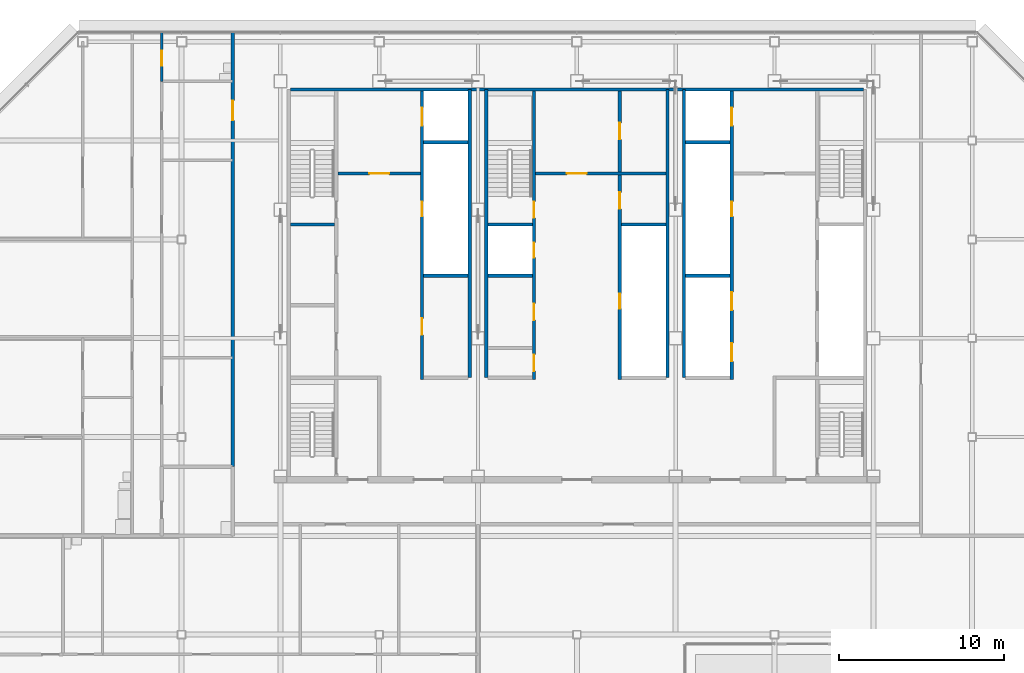
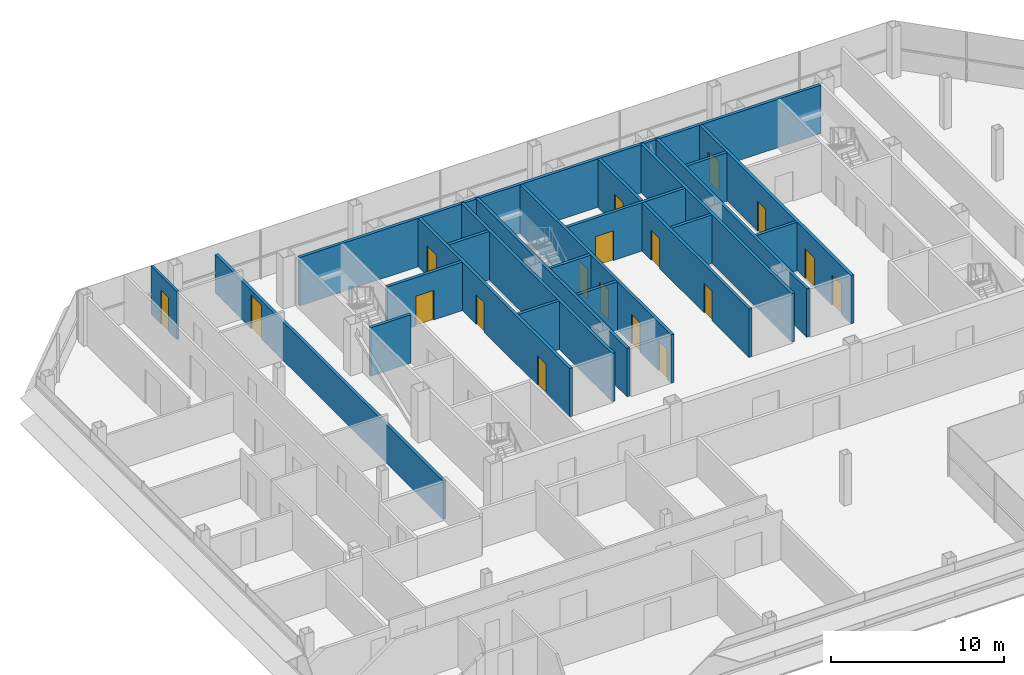
# One storey, part 24 of 30: 21 walls, 18 doors, 18 openings.
"""IFC4 building model written with IfcOpenShell, lengths in metres."""

from ifc_helpers import new_model, si_unit, direction, frame, frame_2d, origin, place, context, subcontext, project, spatial, rectangle, extrude, material, layer, layer_set, type_object, element, fill, save


model = new_model("IFC4")

# Units and contexts
model_context = context("Model", 3, precision=1e-05, world=origin(), true_north=direction((0.0, 1.0)))
body_context = subcontext(model_context, "Body", "Model", "MODEL_VIEW")
ifc_project = project(units=[si_unit("LENGTHUNIT", "METRE"), si_unit("AREAUNIT", "SQUARE_METRE"), si_unit("VOLUMEUNIT", "CUBIC_METRE"), si_unit("PLANEANGLEUNIT", "RADIAN"), si_unit("MASSUNIT", "GRAM", prefix="KILO")], contexts=[model_context])

# Site, building, storey
site_placement = place(None, origin())
site = spatial("IfcSite", under=ifc_project, at=site_placement, CompositionType="ELEMENT")
building_placement = place(site_placement, origin())
building = spatial("IfcBuilding", under=site, at=building_placement, Name="Sorahane Residences", CompositionType="ELEMENT")
storey_placement = place(building_placement, frame((0.0, 0.0, 263.0)))
storey = spatial("IfcBuildingStorey", under=building, at=storey_placement, Name="L62", CompositionType="ELEMENT", Elevation=263.0)

# Walls
ifc_material_1 = material(Name="Concrete C30", Category="concrete")
ifc_layer_1 = layer(ifc_material_1, 0.199951171875)
ifc_layer_set_1 = layer_set([ifc_layer_1], Name="Core face wall 200 EI 180")
wall_type_1 = type_object("IfcWallType", Name="Core face wall 200 EI 180", PredefinedType="SOLIDWALL", material=ifc_layer_set_1)
wall_1_placement = place(storey_placement, frame((6.60009765625, 45.10009765625, 0.0), z_axis=(0.0, 0.0, 1.0), x_axis=(1.0, 0.0, 0.0)))
element("IfcWall", 1, at=wall_1_placement, inside=storey, type_object=wall_type_1, Name="L62 core face wall", PredefinedType="SOLIDWALL", context=body_context, shape_type="SweptSolid", body=[
    extrude(rectangle(XDim=34.7998046875, YDim=0.199951171875, at=frame_2d((17.39990234375, 0.0))), origin(), (0.0, 0.0, 1.0), 3.419921875),
])
for number, where, z_axis, x_axis, name in (
    (2, (17.5, 27.60009765625, 0.0), (0.0, 0.0, 1.0), (0.0, 1.0, 0.0), "L62 core face wall"),
    (3, (18.5, 27.60009765625, 0.0), (0.0, 0.0, 1.0), (0.0, 1.0, 0.0), "L62 core face wall"),
    (4, (29.5, 27.60009765625, 0.0), (0.0, 0.0, 1.0), (0.0, 1.0, 0.0), "L62 core face wall"),
    (5, (30.5, 27.60009765625, 0.0), (0.0, 0.0, 1.0), (0.0, 1.0, 0.0), "L62 core face wall"),
):
    element("IfcWall", number, at=place(storey_placement, frame(where, z_axis=z_axis, x_axis=x_axis)), inside=storey, type_object=wall_type_1, Name=name, PredefinedType="SOLIDWALL", context=body_context, shape_type="SweptSolid", body=[
        extrude(rectangle(XDim=17.5, YDim=0.199951171875, at=frame_2d((8.75, 0.0))), origin(), (0.0, 0.0, 1.0), 3.419921875),
    ])

# Wall, opening, door
ifc_material_2 = material(Name="Concrete blockwork C20 wall", Category="masonry")
ifc_layer_2 = layer(ifc_material_2, 0.199951171875)
ifc_layer_set_2 = layer_set([ifc_layer_2], Name="Corridor wall 200 EI 120")
wall_type_2 = type_object("IfcWallType", Name="Corridor wall 200 EI 120", PredefinedType="SOLIDWALL", material=ifc_layer_set_2)
wall_2_placement = place(storey_placement, frame((3.10009765625, 22.199951171875, 0.0), z_axis=(0.0, 0.0, 1.0), x_axis=(0.0, 1.0, 0.0)))
wall_2 = element("IfcWall", 6, at=wall_2_placement, inside=storey, type_object=wall_type_2, Name="L62 corridor wall", PredefinedType="SOLIDWALL", context=body_context, shape_type="SweptSolid", body=[
    extrude(rectangle(XDim=26.400146484375, YDim=0.199951171875, at=frame_2d((13.2001953125, 0.0))), origin(), (0.0, 0.0, 1.0), 2.719970703125),
])
opening_1_placement = place(wall_2_placement, frame((21.02001953125, 0.0, 0.0)))
opening_1 = element("IfcOpeningElement", 7, at=opening_1_placement, cuts=wall_2, Name="Opening L62-26", PredefinedType="OPENING", context=body_context, shape_type="SweptSolid", body=[
    extrude(rectangle(XDim=1.199951171875, YDim=2.39990234375, at=frame_2d((0.60009765625, 1.199951171875))), frame((0.0, 0.10986328125, 0.0), z_axis=(0.0, -1.0, 0.0), x_axis=(1.0, 0.0, 0.0)), (0.0, 0.0, 1.0), 0.219970703125),
])
ifc_material_3 = material(Name="Timber veneered fire door", Category="wood")
door_type_1 = type_object("IfcDoorType", Name="Flat entrance door 1200x2400 FD60", OperationType="NOTDEFINED", PredefinedType="DOOR", material=ifc_material_3)
door_1_placement = place(opening_1_placement, origin())
door_1 = element("IfcDoor", 8, at=door_1_placement, inside=storey, type_object=door_type_1, Name="Flat entrance door L62-26", OperationType="SINGLE_SWING_RIGHT", OverallHeight=2.39990234375, OverallWidth=1.199951171875, PredefinedType="DOOR", context=body_context, shape_type="SweptSolid", body=[
    extrude(rectangle(XDim=1.199951171875, YDim=2.39990234375, at=frame_2d((0.60009765625, 1.199951171875))), frame((0.0, 0.02490234375, 0.0), z_axis=(0.0, -1.0, 0.0), x_axis=(1.0, 0.0, 0.0)), (0.0, 0.0, 1.0), 0.050048828125),
])
fill(opening_1, door_1)

ifc_material_4 = material(Name="Concrete C30", Category="concrete")
ifc_layer_3 = layer(ifc_material_4, 0.199951171875)
ifc_layer_set_3 = layer_set([ifc_layer_3], Name="Front room wall 200 EI 120")
wall_type_3 = type_object("IfcWallType", Name="Front room wall 200 EI 120", PredefinedType="PARTITIONING", material=ifc_layer_set_3)
wall_3_placement = place(storey_placement, frame((21.5, 40.0, 0.0), z_axis=(0.0, 0.0, 1.0), x_axis=(1.0, 0.0, 0.0)))
wall_3 = element("IfcWall", 9, at=wall_3_placement, inside=storey, type_object=wall_type_3, Name="L62 front room wall", PredefinedType="PARTITIONING", context=body_context, shape_type="SweptSolid", body=[
    extrude(rectangle(XDim=7.89990234375, YDim=0.199951171875, at=frame_2d((3.949951171875, 0.0))), origin(), (0.0, 0.0, 1.0), 3.419921875),
])
opening_2_placement = place(wall_3_placement, frame((1.89990234375, 0.0, 0.0)))
opening_2 = element("IfcOpeningElement", 10, at=opening_2_placement, cuts=wall_3, Name="Opening L62-C07", PredefinedType="OPENING", context=body_context, shape_type="SweptSolid", body=[
    extrude(rectangle(XDim=1.199951171875, YDim=2.10009765625, at=frame_2d((0.60009765625, 1.050048828125))), frame((0.0, 0.10986328125, 0.0), z_axis=(0.0, -1.0, 0.0), x_axis=(1.0, 0.0, 0.0)), (0.0, 0.0, 1.0), 0.219970703125),
])
ifc_material_5 = material(Name="Steel", Category="steel")
door_type_2 = type_object("IfcDoorType", Name="Front room door 1200x2100 FD120", OperationType="NOTDEFINED", PredefinedType="DOOR", material=ifc_material_5)
door_2_placement = place(opening_2_placement, frame((1.199951171875, 0.0, 0.0), z_axis=(0.0, 0.0, 1.0), x_axis=(-1.0, 0.0, 0.0)))
door_2 = element("IfcDoor", 11, at=door_2_placement, inside=storey, type_object=door_type_2, Name="Front room door Stair S3 vestibule L62", OperationType="DOUBLE_DOOR_SINGLE_SWING", OverallHeight=2.10009765625, OverallWidth=1.199951171875, PredefinedType="DOOR", context=body_context, shape_type="SweptSolid", body=[
    extrude(rectangle(XDim=1.199951171875, YDim=2.10009765625, at=frame_2d((0.60009765625, 1.050048828125))), frame((0.0, 0.02490234375, 0.0), z_axis=(0.0, -1.0, 0.0), x_axis=(1.0, 0.0, 0.0)), (0.0, 0.0, 1.0), 0.050048828125),
])
fill(opening_2, door_2)

wall_4_placement = place(storey_placement, frame((9.5, 40.0, 0.0), z_axis=(0.0, 0.0, 1.0), x_axis=(1.0, 0.0, 0.0)))
wall_4 = element("IfcWall", 12, at=wall_4_placement, inside=storey, type_object=wall_type_3, Name="L62 front room wall", PredefinedType="PARTITIONING", context=body_context, shape_type="SweptSolid", body=[
    extrude(rectangle(XDim=5.0, YDim=0.199951171875, at=frame_2d((2.5, 0.0))), origin(), (0.0, 0.0, 1.0), 3.419921875),
])
opening_3_placement = place(wall_4_placement, frame((1.89990234375, 0.0, 0.0)))
opening_3 = element("IfcOpeningElement", 13, at=opening_3_placement, cuts=wall_4, Name="Opening L62-C06", PredefinedType="OPENING", context=body_context, shape_type="SweptSolid", body=[
    extrude(rectangle(XDim=1.199951171875, YDim=2.10009765625, at=frame_2d((0.60009765625, 1.050048828125))), frame((0.0, 0.10986328125, 0.0), z_axis=(0.0, -1.0, 0.0), x_axis=(1.0, 0.0, 0.0)), (0.0, 0.0, 1.0), 0.219970703125),
])
door_3_placement = place(opening_3_placement, frame((1.199951171875, 0.0, 0.0), z_axis=(0.0, 0.0, 1.0), x_axis=(-1.0, 0.0, 0.0)))
door_3 = element("IfcDoor", 14, at=door_3_placement, inside=storey, type_object=door_type_2, Name="Front room door Firefighting lobby FF1 front room L62", OperationType="DOUBLE_DOOR_SINGLE_SWING", OverallHeight=2.10009765625, OverallWidth=1.199951171875, PredefinedType="DOOR", context=body_context, shape_type="SweptSolid", body=[
    extrude(rectangle(XDim=1.199951171875, YDim=2.10009765625, at=frame_2d((0.60009765625, 1.050048828125))), frame((0.0, 0.02490234375, 0.0), z_axis=(0.0, -1.0, 0.0), x_axis=(1.0, 0.0, 0.0)), (0.0, 0.0, 1.0), 0.050048828125),
])
fill(opening_3, door_3)

# Wall, openings, doors
ifc_material_6 = material(Name="Concrete C30", Category="concrete")
ifc_layer_4 = layer(ifc_material_6, 0.199951171875)
ifc_layer_set_4 = layer_set([ifc_layer_4], Name="Lift shaft wall 200 EI 120")
wall_type_4 = type_object("IfcWallType", Name="Lift shaft wall 200 EI 120", PredefinedType="SOLIDWALL", material=ifc_layer_set_4)
wall_5_placement = place(storey_placement, frame((14.60009765625, 27.5, 0.0), z_axis=(0.0, 0.0, 1.0), x_axis=(0.0, 1.0, 0.0)))
wall_5 = element("IfcWall", 15, at=wall_5_placement, inside=storey, type_object=wall_type_4, Name="L62 lift shaft wall", PredefinedType="SOLIDWALL", context=body_context, shape_type="SweptSolid", body=[
    extrude(rectangle(XDim=17.5, YDim=0.199951171875, at=frame_2d((8.75, 0.0))), origin(), (0.0, 0.0, 1.0), 3.419921875),
])
opening_4_placement = place(wall_5_placement, frame((15.39990234375, 0.0, 0.0)))
opening_4 = element("IfcOpeningElement", 16, at=opening_4_placement, cuts=wall_5, Name="Opening L62-C15", PredefinedType="OPENING", context=body_context, shape_type="SweptSolid", body=[
    extrude(rectangle(XDim=1.10009765625, YDim=2.10009765625, at=frame_2d((0.550048828125, 1.050048828125))), frame((0.0, 0.10986328125, 0.0), z_axis=(0.0, -1.0, 0.0), x_axis=(1.0, 0.0, 0.0)), (0.0, 0.0, 1.0), 0.219970703125),
])
opening_5_placement = place(wall_5_placement, frame((2.699951171875, 0.0, 0.0)))
opening_5 = element("IfcOpeningElement", 17, at=opening_5_placement, cuts=wall_5, Name="Opening L62-C18", PredefinedType="OPENING", context=body_context, shape_type="SweptSolid", body=[
    extrude(rectangle(XDim=1.0, YDim=2.10009765625, at=frame_2d((0.5, 1.050048828125))), frame((0.0, 0.10986328125, 0.0), z_axis=(0.0, -1.0, 0.0), x_axis=(1.0, 0.0, 0.0)), (0.0, 0.0, 1.0), 0.219970703125),
])
opening_6_placement = place(wall_5_placement, frame((9.89990234375, 0.0, 0.0)))
opening_6 = element("IfcOpeningElement", 18, at=opening_6_placement, cuts=wall_5, Name="Opening L62-C26", PredefinedType="OPENING", context=body_context, shape_type="SweptSolid", body=[
    extrude(rectangle(XDim=0.89990234375, YDim=2.10009765625, at=frame_2d((0.449951171875, 1.050048828125))), frame((0.0, 0.10986328125, 0.0), z_axis=(0.0, -1.0, 0.0), x_axis=(1.0, 0.0, 0.0)), (0.0, 0.0, 1.0), 0.219970703125),
])
ifc_material_7 = material(Name="Aluminium and stainless steel", Category="steel")
door_type_3 = type_object("IfcDoorType", Name="Lift landing door 1100x2100 E 60", OperationType="NOTDEFINED", PredefinedType="DOOR", material=ifc_material_7)
door_4_placement = place(opening_4_placement, origin())
door_4 = element("IfcDoor", 19, at=door_4_placement, inside=storey, type_object=door_type_3, Name="Lift landing door FF1 L62", OperationType="DOUBLE_DOOR_SLIDING", OverallHeight=2.10009765625, OverallWidth=1.10009765625, PredefinedType="DOOR", context=body_context, shape_type="SweptSolid", body=[
    extrude(rectangle(XDim=1.10009765625, YDim=2.10009765625, at=frame_2d((0.550048828125, 1.050048828125))), frame((0.0, 0.02490234375, 0.0), z_axis=(0.0, -1.0, 0.0), x_axis=(1.0, 0.0, 0.0)), (0.0, 0.0, 1.0), 0.050048828125),
])
fill(opening_4, door_4)
ifc_material_8 = material(Name="Steel", Category="steel")
door_type_4 = type_object("IfcDoorType", Name="Riser door 900x2100 FD120", OperationType="NOTDEFINED", PredefinedType="DOOR", material=ifc_material_8)
door_5_placement = place(opening_6_placement, origin())
door_5 = element("IfcDoor", 20, at=door_5_placement, inside=storey, type_object=door_type_4, Name="Riser door R1 L62", OperationType="SINGLE_SWING_LEFT", OverallHeight=2.10009765625, OverallWidth=0.89990234375, PredefinedType="DOOR", context=body_context, shape_type="SweptSolid", body=[
    extrude(rectangle(XDim=0.89990234375, YDim=2.10009765625, at=frame_2d((0.449951171875, 1.050048828125))), frame((0.0, 0.02490234375, 0.0), z_axis=(0.0, -1.0, 0.0), x_axis=(1.0, 0.0, 0.0)), (0.0, 0.0, 1.0), 0.050048828125),
])
fill(opening_6, door_5)
ifc_material_9 = material(Name="Steel", Category="steel")
door_type_5 = type_object("IfcDoorType", Name="Service room door 1000x2100 FD60", OperationType="NOTDEFINED", PredefinedType="DOOR", material=ifc_material_9)
door_6_placement = place(opening_5_placement, frame((1.0, 0.0, 0.0), z_axis=(0.0, 0.0, 1.0), x_axis=(-1.0, 0.0, 0.0)))
door_6 = element("IfcDoor", 21, at=door_6_placement, inside=storey, type_object=door_type_5, Name="Service room door Flower room L62", OperationType="SINGLE_SWING_RIGHT", OverallHeight=2.10009765625, OverallWidth=1.0, PredefinedType="DOOR", context=body_context, shape_type="SweptSolid", body=[
    extrude(rectangle(XDim=1.0, YDim=2.10009765625, at=frame_2d((0.5, 1.050048828125))), frame((0.0, 0.02490234375, 0.0), z_axis=(0.0, -1.0, 0.0), x_axis=(1.0, 0.0, 0.0)), (0.0, 0.0, 1.0), 0.050048828125),
])
fill(opening_5, door_6)

wall_6_placement = place(storey_placement, frame((33.39990234375, 27.5, 0.0), z_axis=(0.0, 0.0, 1.0), x_axis=(0.0, 1.0, 0.0)))
wall_6 = element("IfcWall", 22, at=wall_6_placement, inside=storey, type_object=wall_type_4, Name="L62 lift shaft wall", PredefinedType="SOLIDWALL", context=body_context, shape_type="SweptSolid", body=[
    extrude(rectangle(XDim=17.5, YDim=0.199951171875, at=frame_2d((8.75, 0.0))), origin(), (0.0, 0.0, 1.0), 3.419921875),
])
opening_7_placement = place(wall_6_placement, frame((1.10009765625, 0.0, 0.0)))
opening_7 = element("IfcOpeningElement", 23, at=opening_7_placement, cuts=wall_6, Name="Opening L62-C12", PredefinedType="OPENING", context=body_context, shape_type="SweptSolid", body=[
    extrude(rectangle(XDim=1.10009765625, YDim=2.10009765625, at=frame_2d((0.550048828125, 1.050048828125))), frame((0.0, 0.10986328125, 0.0), z_axis=(0.0, -1.0, 0.0), x_axis=(1.0, 0.0, 0.0)), (0.0, 0.0, 1.0), 0.219970703125),
])
opening_8_placement = place(wall_6_placement, frame((4.199951171875, 0.0, 0.0)))
opening_8 = element("IfcOpeningElement", 24, at=opening_8_placement, cuts=wall_6, Name="Opening L62-C13", PredefinedType="OPENING", context=body_context, shape_type="SweptSolid", body=[
    extrude(rectangle(XDim=1.10009765625, YDim=2.10009765625, at=frame_2d((0.550048828125, 1.050048828125))), frame((0.0, 0.10986328125, 0.0), z_axis=(0.0, -1.0, 0.0), x_axis=(1.0, 0.0, 0.0)), (0.0, 0.0, 1.0), 0.219970703125),
])
opening_9_placement = place(wall_6_placement, frame((15.39990234375, 0.0, 0.0)))
opening_9 = element("IfcOpeningElement", 25, at=opening_9_placement, cuts=wall_6, Name="Opening L62-C14", PredefinedType="OPENING", context=body_context, shape_type="SweptSolid", body=[
    extrude(rectangle(XDim=1.10009765625, YDim=2.10009765625, at=frame_2d((0.550048828125, 1.050048828125))), frame((0.0, 0.10986328125, 0.0), z_axis=(0.0, -1.0, 0.0), x_axis=(1.0, 0.0, 0.0)), (0.0, 0.0, 1.0), 0.219970703125),
])
opening_10_placement = place(wall_6_placement, frame((9.89990234375, 0.0, 0.0)))
opening_10 = element("IfcOpeningElement", 26, at=opening_10_placement, cuts=wall_6, Name="Opening L62-C27", PredefinedType="OPENING", context=body_context, shape_type="SweptSolid", body=[
    extrude(rectangle(XDim=0.89990234375, YDim=2.10009765625, at=frame_2d((0.449951171875, 1.050048828125))), frame((0.0, 0.10986328125, 0.0), z_axis=(0.0, -1.0, 0.0), x_axis=(1.0, 0.0, 0.0)), (0.0, 0.0, 1.0), 0.219970703125),
])
door_7_placement = place(opening_7_placement, origin())
door_7 = element("IfcDoor", 27, at=door_7_placement, inside=storey, type_object=door_type_3, Name="Lift landing door HR4 L62", OperationType="DOUBLE_DOOR_SLIDING", OverallHeight=2.10009765625, OverallWidth=1.10009765625, PredefinedType="DOOR", context=body_context, shape_type="SweptSolid", body=[
    extrude(rectangle(XDim=1.10009765625, YDim=2.10009765625, at=frame_2d((0.550048828125, 1.050048828125))), frame((0.0, 0.02490234375, 0.0), z_axis=(0.0, -1.0, 0.0), x_axis=(1.0, 0.0, 0.0)), (0.0, 0.0, 1.0), 0.050048828125),
])
fill(opening_7, door_7)
door_8_placement = place(opening_8_placement, origin())
door_8 = element("IfcDoor", 28, at=door_8_placement, inside=storey, type_object=door_type_3, Name="Lift landing door HR5 L62", OperationType="DOUBLE_DOOR_SLIDING", OverallHeight=2.10009765625, OverallWidth=1.10009765625, PredefinedType="DOOR", context=body_context, shape_type="SweptSolid", body=[
    extrude(rectangle(XDim=1.10009765625, YDim=2.10009765625, at=frame_2d((0.550048828125, 1.050048828125))), frame((0.0, 0.02490234375, 0.0), z_axis=(0.0, -1.0, 0.0), x_axis=(1.0, 0.0, 0.0)), (0.0, 0.0, 1.0), 0.050048828125),
])
fill(opening_8, door_8)
door_9_placement = place(opening_9_placement, origin())
door_9 = element("IfcDoor", 29, at=door_9_placement, inside=storey, type_object=door_type_3, Name="Lift landing door FF2 L62", OperationType="DOUBLE_DOOR_SLIDING", OverallHeight=2.10009765625, OverallWidth=1.10009765625, PredefinedType="DOOR", context=body_context, shape_type="SweptSolid", body=[
    extrude(rectangle(XDim=1.10009765625, YDim=2.10009765625, at=frame_2d((0.550048828125, 1.050048828125))), frame((0.0, 0.02490234375, 0.0), z_axis=(0.0, -1.0, 0.0), x_axis=(1.0, 0.0, 0.0)), (0.0, 0.0, 1.0), 0.050048828125),
])
fill(opening_9, door_9)
door_10_placement = place(opening_10_placement, frame((0.89990234375, 0.0, 0.0), z_axis=(0.0, 0.0, 1.0), x_axis=(-1.0, 0.0, 0.0)))
door_10 = element("IfcDoor", 30, at=door_10_placement, inside=storey, type_object=door_type_4, Name="Riser door R2 L62", OperationType="SINGLE_SWING_LEFT", OverallHeight=2.10009765625, OverallWidth=0.89990234375, PredefinedType="DOOR", context=body_context, shape_type="SweptSolid", body=[
    extrude(rectangle(XDim=0.89990234375, YDim=2.10009765625, at=frame_2d((0.449951171875, 1.050048828125))), frame((0.0, 0.02490234375, 0.0), z_axis=(0.0, -1.0, 0.0), x_axis=(1.0, 0.0, 0.0)), (0.0, 0.0, 1.0), 0.050048828125),
])
fill(opening_10, door_10)

# Walls
for number, where, z_axis, x_axis, name in (
    (31, (30.60009765625, 33.800048828125, 0.0), (0.0, 0.0, 1.0), (1.0, 0.0, 0.0), "L62 lift shaft wall"),
    (32, (14.699951171875, 41.89990234375, 0.0), (0.0, 0.0, 1.0), (1.0, 0.0, 0.0), "L62 lift shaft wall"),
    (33, (30.60009765625, 41.89990234375, 0.0), (0.0, 0.0, 1.0), (1.0, 0.0, 0.0), "L62 lift shaft wall"),
):
    element("IfcWall", number, at=place(storey_placement, frame(where, z_axis=z_axis, x_axis=x_axis)), inside=storey, type_object=wall_type_4, Name=name, PredefinedType="SOLIDWALL", context=body_context, shape_type="SweptSolid", body=[
        extrude(rectangle(XDim=2.699951171875, YDim=0.199951171875, at=frame_2d((1.35009765625, 0.0))), origin(), (0.0, 0.0, 1.0), 3.419921875),
    ])

# Wall, openings, doors
ifc_material_10 = material(Name="Concrete C30", Category="concrete")
ifc_layer_5 = layer(ifc_material_10, 0.199951171875)
ifc_layer_set_5 = layer_set([ifc_layer_5], Name="Riser shaft wall 200 EI 120")
wall_type_5 = type_object("IfcWallType", Name="Riser shaft wall 200 EI 120", PredefinedType="SOLIDWALL", material=ifc_layer_set_5)
wall_7_placement = place(storey_placement, frame((26.60009765625, 27.5, 0.0), z_axis=(0.0, 0.0, 1.0), x_axis=(0.0, 1.0, 0.0)))
wall_7 = element("IfcWall", 34, at=wall_7_placement, inside=storey, type_object=wall_type_5, Name="L62 riser wall", PredefinedType="SOLIDWALL", context=body_context, shape_type="SweptSolid", body=[
    extrude(rectangle(XDim=17.5, YDim=0.199951171875, at=frame_2d((8.75, 0.0))), origin(), (0.0, 0.0, 1.0), 3.419921875),
])
opening_11_placement = place(wall_7_placement, frame((4.300048828125, 0.0, 0.0)))
opening_11 = element("IfcOpeningElement", 35, at=opening_11_placement, cuts=wall_7, Name="Opening L62-C29", PredefinedType="OPENING", context=body_context, shape_type="SweptSolid", body=[
    extrude(rectangle(XDim=0.89990234375, YDim=2.10009765625, at=frame_2d((0.449951171875, 1.050048828125))), frame((0.0, 0.10986328125, 0.0), z_axis=(0.0, -1.0, 0.0), x_axis=(1.0, 0.0, 0.0)), (0.0, 0.0, 1.0), 0.219970703125),
])
opening_12_placement = place(wall_7_placement, frame((10.35009765625, 0.0, 0.0)))
opening_12 = element("IfcOpeningElement", 36, at=opening_12_placement, cuts=wall_7, Name="Opening L62-C30", PredefinedType="OPENING", context=body_context, shape_type="SweptSolid", body=[
    extrude(rectangle(XDim=1.0, YDim=2.10009765625, at=frame_2d((0.5, 1.050048828125))), frame((0.0, 0.10986328125, 0.0), z_axis=(0.0, -1.0, 0.0), x_axis=(1.0, 0.0, 0.0)), (0.0, 0.0, 1.0), 0.219970703125),
])
opening_13_placement = place(wall_7_placement, frame((14.574951171875, 0.0, 0.0)))
opening_13 = element("IfcOpeningElement", 37, at=opening_13_placement, cuts=wall_7, Name="Opening L62-C31", PredefinedType="OPENING", context=body_context, shape_type="SweptSolid", body=[
    extrude(rectangle(XDim=1.0, YDim=2.10009765625, at=frame_2d((0.5, 1.050048828125))), frame((0.0, 0.10986328125, 0.0), z_axis=(0.0, -1.0, 0.0), x_axis=(1.0, 0.0, 0.0)), (0.0, 0.0, 1.0), 0.219970703125),
])
door_11_placement = place(opening_11_placement, origin())
door_11 = element("IfcDoor", 38, at=door_11_placement, inside=storey, type_object=door_type_4, Name="Riser door R4 L62", OperationType="SINGLE_SWING_LEFT", OverallHeight=2.10009765625, OverallWidth=0.89990234375, PredefinedType="DOOR", context=body_context, shape_type="SweptSolid", body=[
    extrude(rectangle(XDim=0.89990234375, YDim=2.10009765625, at=frame_2d((0.449951171875, 1.050048828125))), frame((0.0, 0.02490234375, 0.0), z_axis=(0.0, -1.0, 0.0), x_axis=(1.0, 0.0, 0.0)), (0.0, 0.0, 1.0), 0.050048828125),
])
fill(opening_11, door_11)
door_12_placement = place(opening_12_placement, frame((1.0, 0.0, 0.0), z_axis=(0.0, 0.0, 1.0), x_axis=(-1.0, 0.0, 0.0)))
door_12 = element("IfcDoor", 39, at=door_12_placement, inside=storey, type_object=door_type_5, Name="Service room door Linen room L62", OperationType="SINGLE_SWING_LEFT", OverallHeight=2.10009765625, OverallWidth=1.0, PredefinedType="DOOR", context=body_context, shape_type="SweptSolid", body=[
    extrude(rectangle(XDim=1.0, YDim=2.10009765625, at=frame_2d((0.5, 1.050048828125))), frame((0.0, 0.02490234375, 0.0), z_axis=(0.0, -1.0, 0.0), x_axis=(1.0, 0.0, 0.0)), (0.0, 0.0, 1.0), 0.050048828125),
])
fill(opening_12, door_12)
door_13_placement = place(opening_13_placement, frame((1.0, 0.0, 0.0), z_axis=(0.0, 0.0, 1.0), x_axis=(-1.0, 0.0, 0.0)))
door_13 = element("IfcDoor", 40, at=door_13_placement, inside=storey, type_object=door_type_5, Name="Service room door Cleaners' store L62", OperationType="SINGLE_SWING_LEFT", OverallHeight=2.10009765625, OverallWidth=1.0, PredefinedType="DOOR", context=body_context, shape_type="SweptSolid", body=[
    extrude(rectangle(XDim=1.0, YDim=2.10009765625, at=frame_2d((0.5, 1.050048828125))), frame((0.0, 0.02490234375, 0.0), z_axis=(0.0, -1.0, 0.0), x_axis=(1.0, 0.0, 0.0)), (0.0, 0.0, 1.0), 0.050048828125),
])
fill(opening_13, door_13)

# Walls
for number, where, z_axis, x_axis, name in (
    (41, (14.699951171875, 33.800048828125, 0.0), (0.0, 0.0, 1.0), (1.0, 0.0, 0.0), "L62 riser wall"),
    (42, (18.60009765625, 33.800048828125, 0.0), (0.0, 0.0, 1.0), (1.0, 0.0, 0.0), "L62 riser wall"),
    (43, (26.699951171875, 36.89990234375, 0.0), (0.0, 0.0, 1.0), (1.0, 0.0, 0.0), "L62 riser wall"),
):
    element("IfcWall", number, at=place(storey_placement, frame(where, z_axis=z_axis, x_axis=x_axis)), inside=storey, type_object=wall_type_5, Name=name, PredefinedType="SOLIDWALL", context=body_context, shape_type="SweptSolid", body=[
        extrude(rectangle(XDim=2.699951171875, YDim=0.199951171875, at=frame_2d((1.35009765625, 0.0))), origin(), (0.0, 0.0, 1.0), 3.419921875),
    ])

# Wall, openings, doors
ifc_material_11 = material(Name="Concrete C30", Category="concrete")
ifc_layer_6 = layer(ifc_material_11, 0.199951171875)
ifc_layer_set_6 = layer_set([ifc_layer_6], Name="Stair enclosure wall 200 EI 120")
wall_type_6 = type_object("IfcWallType", Name="Stair enclosure wall 200 EI 120", PredefinedType="SOLIDWALL", material=ifc_layer_set_6)
wall_8_placement = place(storey_placement, frame((21.39990234375, 27.5, 0.0), z_axis=(0.0, 0.0, 1.0), x_axis=(0.0, 1.0, 0.0)))
wall_8 = element("IfcWall", 44, at=wall_8_placement, inside=storey, type_object=wall_type_6, Name="L62 stair enclosure wall", PredefinedType="SOLIDWALL", context=body_context, shape_type="SweptSolid", body=[
    extrude(rectangle(XDim=17.5, YDim=0.199951171875, at=frame_2d((8.75, 0.0))), origin(), (0.0, 0.0, 1.0), 3.419921875),
])
opening_14_placement = place(wall_8_placement, frame((0.5, 0.0, 0.0)))
opening_14 = element("IfcOpeningElement", 45, at=opening_14_placement, cuts=wall_8, Name="Opening L62-C16", PredefinedType="OPENING", context=body_context, shape_type="SweptSolid", body=[
    extrude(rectangle(XDim=1.0, YDim=2.10009765625, at=frame_2d((0.5, 1.050048828125))), frame((0.0, 0.10986328125, 0.0), z_axis=(0.0, -1.0, 0.0), x_axis=(1.0, 0.0, 0.0)), (0.0, 0.0, 1.0), 0.219970703125),
])
opening_15_placement = place(wall_8_placement, frame((3.60009765625, 0.0, 0.0)))
opening_15 = element("IfcOpeningElement", 46, at=opening_15_placement, cuts=wall_8, Name="Opening L62-C17", PredefinedType="OPENING", context=body_context, shape_type="SweptSolid", body=[
    extrude(rectangle(XDim=1.0, YDim=2.10009765625, at=frame_2d((0.5, 1.050048828125))), frame((0.0, 0.10986328125, 0.0), z_axis=(0.0, -1.0, 0.0), x_axis=(1.0, 0.0, 0.0)), (0.0, 0.0, 1.0), 0.219970703125),
])
opening_16_placement = place(wall_8_placement, frame((9.800048828125, 0.0, 0.0)))
opening_16 = element("IfcOpeningElement", 47, at=opening_16_placement, cuts=wall_8, Name="Opening L62-C23", PredefinedType="OPENING", context=body_context, shape_type="SweptSolid", body=[
    extrude(rectangle(XDim=1.0, YDim=2.10009765625, at=frame_2d((0.5, 1.050048828125))), frame((0.0, 0.10986328125, 0.0), z_axis=(0.0, -1.0, 0.0), x_axis=(1.0, 0.0, 0.0)), (0.0, 0.0, 1.0), 0.219970703125),
])
opening_17_placement = place(wall_8_placement, frame((7.39990234375, 0.0, 0.0)))
opening_17 = element("IfcOpeningElement", 48, at=opening_17_placement, cuts=wall_8, Name="Opening L62-C28", PredefinedType="OPENING", context=body_context, shape_type="SweptSolid", body=[
    extrude(rectangle(XDim=0.89990234375, YDim=2.10009765625, at=frame_2d((0.449951171875, 1.050048828125))), frame((0.0, 0.10986328125, 0.0), z_axis=(0.0, -1.0, 0.0), x_axis=(1.0, 0.0, 0.0)), (0.0, 0.0, 1.0), 0.219970703125),
])
door_14_placement = place(opening_17_placement, frame((0.89990234375, 0.0, 0.0), z_axis=(0.0, 0.0, 1.0), x_axis=(-1.0, 0.0, 0.0)))
door_14 = element("IfcDoor", 49, at=door_14_placement, inside=storey, type_object=door_type_4, Name="Riser door R3 L62", OperationType="SINGLE_SWING_LEFT", OverallHeight=2.10009765625, OverallWidth=0.89990234375, PredefinedType="DOOR", context=body_context, shape_type="SweptSolid", body=[
    extrude(rectangle(XDim=0.89990234375, YDim=2.10009765625, at=frame_2d((0.449951171875, 1.050048828125))), frame((0.0, 0.02490234375, 0.0), z_axis=(0.0, -1.0, 0.0), x_axis=(1.0, 0.0, 0.0)), (0.0, 0.0, 1.0), 0.050048828125),
])
fill(opening_17, door_14)
door_15_placement = place(opening_14_placement, origin())
door_15 = element("IfcDoor", 50, at=door_15_placement, inside=storey, type_object=door_type_5, Name="Service room door Flower store L62", OperationType="SINGLE_SWING_RIGHT", OverallHeight=2.10009765625, OverallWidth=1.0, PredefinedType="DOOR", context=body_context, shape_type="SweptSolid", body=[
    extrude(rectangle(XDim=1.0, YDim=2.10009765625, at=frame_2d((0.5, 1.050048828125))), frame((0.0, 0.02490234375, 0.0), z_axis=(0.0, -1.0, 0.0), x_axis=(1.0, 0.0, 0.0)), (0.0, 0.0, 1.0), 0.050048828125),
])
fill(opening_14, door_15)
door_16_placement = place(opening_15_placement, origin())
door_16 = element("IfcDoor", 51, at=door_16_placement, inside=storey, type_object=door_type_5, Name="Service room door Gift store L62", OperationType="SINGLE_SWING_LEFT", OverallHeight=2.10009765625, OverallWidth=1.0, PredefinedType="DOOR", context=body_context, shape_type="SweptSolid", body=[
    extrude(rectangle(XDim=1.0, YDim=2.10009765625, at=frame_2d((0.5, 1.050048828125))), frame((0.0, 0.02490234375, 0.0), z_axis=(0.0, -1.0, 0.0), x_axis=(1.0, 0.0, 0.0)), (0.0, 0.0, 1.0), 0.050048828125),
])
fill(opening_15, door_16)
ifc_material_12 = material(Name="Steel", Category="steel")
door_type_6 = type_object("IfcDoorType", Name="Stair door 1000x2100 FD120", OperationType="NOTDEFINED", PredefinedType="DOOR", material=ifc_material_12)
door_17_placement = place(opening_16_placement, origin())
door_17 = element("IfcDoor", 52, at=door_17_placement, inside=storey, type_object=door_type_6, Name="Stair door S3 L62", OperationType="SINGLE_SWING_LEFT", OverallHeight=2.10009765625, OverallWidth=1.0, PredefinedType="DOOR", context=body_context, shape_type="SweptSolid", body=[
    extrude(rectangle(XDim=1.0, YDim=2.10009765625, at=frame_2d((0.5, 1.050048828125))), frame((0.0, 0.02490234375, 0.0), z_axis=(0.0, -1.0, 0.0), x_axis=(1.0, 0.0, 0.0)), (0.0, 0.0, 1.0), 0.050048828125),
])
fill(opening_16, door_17)

# Walls
for number, where, z_axis, x_axis, name in (
    (53, (18.60009765625, 36.89990234375, 0.0), (0.0, 0.0, 1.0), (1.0, 0.0, 0.0), "L62 stair enclosure wall"),
    (54, (6.60009765625, 36.89990234375, 0.0), (0.0, 0.0, 1.0), (1.0, 0.0, 0.0), "L62 stair enclosure wall"),
):
    element("IfcWall", number, at=place(storey_placement, frame(where, z_axis=z_axis, x_axis=x_axis)), inside=storey, type_object=wall_type_6, Name=name, PredefinedType="SOLIDWALL", context=body_context, shape_type="SweptSolid", body=[
        extrude(rectangle(XDim=2.699951171875, YDim=0.199951171875, at=frame_2d((1.35009765625, 0.0))), origin(), (0.0, 0.0, 1.0), 3.419921875),
    ])

# Wall, opening, door
ifc_material_13 = material(Name="Gypsum board partition on steel studs", Category="steel")
ifc_layer_7 = layer(ifc_material_13, 0.14990234375)
ifc_layer_set_7 = layer_set([ifc_layer_7], Name="Wet wall 150 EI 90")
wall_type_7 = type_object("IfcWallType", Name="Wet wall 150 EI 90", PredefinedType="PARTITIONING", material=ifc_layer_set_7)
wall_9_placement = place(storey_placement, frame((-1.199951171875, 45.60009765625, 0.0), z_axis=(0.0, 0.0, 1.0), x_axis=(0.0, 1.0, 0.0)))
wall_9 = element("IfcWall", 55, at=wall_9_placement, inside=storey, type_object=wall_type_7, Name="L62 wet wall", PredefinedType="PARTITIONING", context=body_context, shape_type="SweptSolid", body=[
    extrude(rectangle(XDim=3.0, YDim=0.14990234375, at=frame_2d((1.5, 0.0))), origin(), (0.0, 0.0, 1.0), 3.419921875),
])
opening_18_placement = place(wall_9_placement, frame((0.949951171875, 0.0, 0.0)))
opening_18 = element("IfcOpeningElement", 56, at=opening_18_placement, cuts=wall_9, Name="Opening L62-17", PredefinedType="OPENING", context=body_context, shape_type="SweptSolid", body=[
    extrude(rectangle(XDim=0.89990234375, YDim=2.39990234375, at=frame_2d((0.449951171875, 1.199951171875))), frame((0.0, 0.0849609375, 0.0), z_axis=(0.0, -1.0, 0.0), x_axis=(1.0, 0.0, 0.0)), (0.0, 0.0, 1.0), 0.169921875),
])
ifc_material_14 = material(Name="Timber veneered fire door", Category="wood")
door_type_7 = type_object("IfcDoorType", Name="Bathroom door 900x2400 FD30", OperationType="NOTDEFINED", PredefinedType="DOOR", material=ifc_material_14)
door_18_placement = place(opening_18_placement, origin())
door_18 = element("IfcDoor", 57, at=door_18_placement, inside=storey, type_object=door_type_7, Name="Bathroom door L62-17", OperationType="SINGLE_SWING_RIGHT", OverallHeight=2.39990234375, OverallWidth=0.89990234375, PredefinedType="DOOR", context=body_context, shape_type="SweptSolid", body=[
    extrude(rectangle(XDim=0.89990234375, YDim=2.39990234375, at=frame_2d((0.449951171875, 1.199951171875))), frame((0.0, 0.02490234375, 0.0), z_axis=(0.0, -1.0, 0.0), x_axis=(1.0, 0.0, 0.0)), (0.0, 0.0, 1.0), 0.050048828125),
])
fill(opening_18, door_18)

save(model, "model.ifc")
